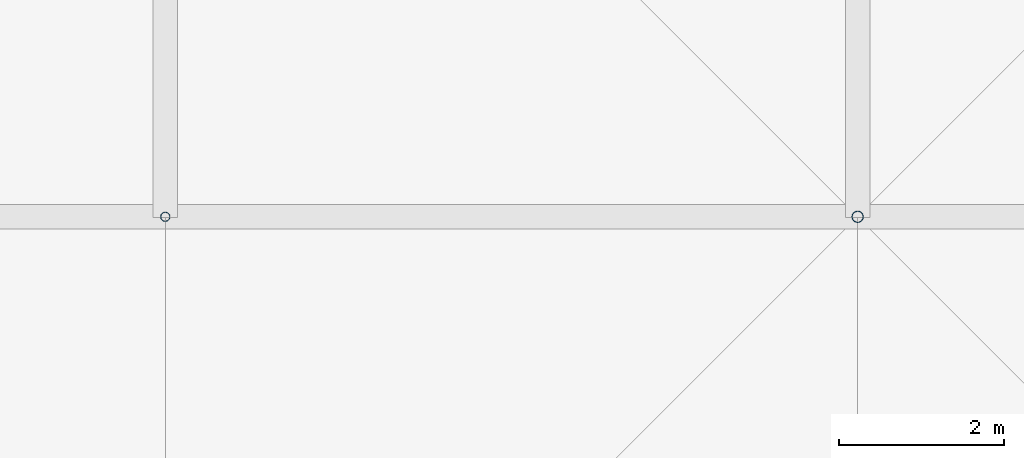
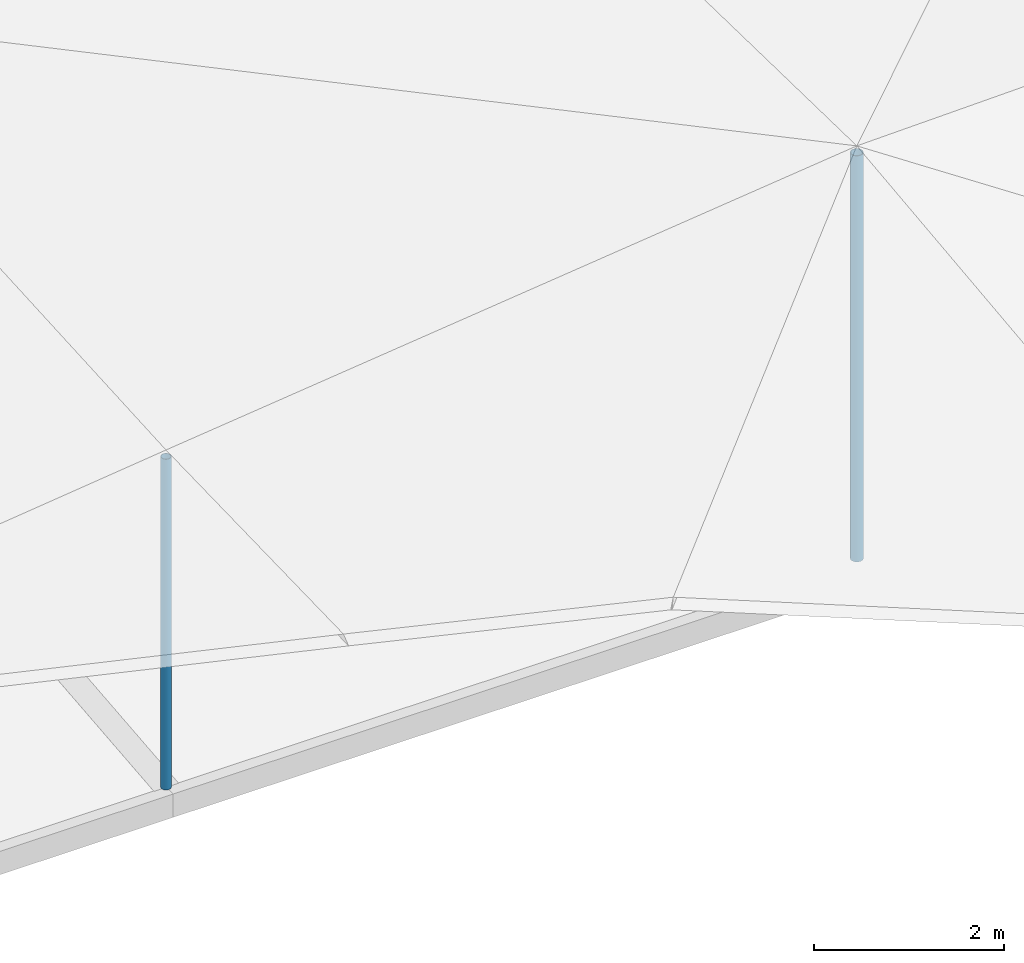
# One storey, part 17 of 46: 2 discrete accessories.
"""IFC4 building model written with IfcOpenShell, lengths in metres."""

from ifc_helpers import new_model, si_unit, direction, frame, origin, origin_2d, place, context, subcontext, project, spatial, hollow_circle, extrude, material, material_profile, profile_set, type_object, element, save


model = new_model("IFC4")

# Units and contexts
model_context = context("Model", 3, precision=1e-05, world=origin(), true_north=direction((0.0, 1.0)))
body_context = subcontext(model_context, "Body", "Model", "MODEL_VIEW")
ifc_project = project(units=[si_unit("LENGTHUNIT", "METRE"), si_unit("AREAUNIT", "SQUARE_METRE"), si_unit("VOLUMEUNIT", "CUBIC_METRE"), si_unit("PLANEANGLEUNIT", "RADIAN"), si_unit("MASSUNIT", "GRAM", prefix="KILO")], contexts=[model_context])

# Site, building, storey
site_placement = place(None, origin())
site = spatial("IfcSite", under=ifc_project, at=site_placement, CompositionType="ELEMENT")
building_placement = place(site_placement, origin())
building = spatial("IfcBuilding", under=site, at=building_placement, Name="Rain Tree Exposition and Congress Centre", CompositionType="ELEMENT")
storey_placement = place(building_placement, frame((0.0, 0.0, 27.0)))
storey = spatial("IfcBuildingStorey", under=building, at=storey_placement, Name="ROOF VAULT CREST", CompositionType="ELEMENT", Elevation=27.0)

# Discrete accessories
ifc_material_1 = material(Name="Steel S355J2H", Category="steel")
ifc_material_profile_1 = material_profile(ifc_material_1, hollow_circle(Radius=0.05712890625, WallThickness=0.00439453125, at=origin_2d()), Name="CHS 114x4.5")
ifc_profile_set_1 = profile_set([ifc_material_profile_1], Name="Steel S355J2H")
discrete_accessory_type_1 = type_object("IfcDiscreteAccessoryType", Name="Roof skin post CHS 114x4.5", PredefinedType="BRACKET", material=ifc_profile_set_1)
discrete_accessory_1_placement = place(storey_placement, frame((201.60009765625, 117.60009765625, 0.551025390625), z_axis=(0.0, 0.0, 1.0), x_axis=(1.0, 0.0, 0.0)))
element("IfcDiscreteAccessory", 1, at=discrete_accessory_1_placement, inside=storey, type_object=discrete_accessory_type_1, Name="Roof skin post B34", PredefinedType="BRACKET", context=body_context, shape_type="SweptSolid", body=[
    extrude(hollow_circle(Radius=0.05712890625, WallThickness=0.00439453125, at=origin_2d()), origin(), (0.0, 0.0, 1.0), 4.252197265625),
])
ifc_material_2 = material(Name="Steel S355J2H", Category="steel")
ifc_material_profile_2 = material_profile(ifc_material_2, hollow_circle(Radius=0.06982421875, WallThickness=0.0048828125, at=origin_2d()), Name="CHS 140x5")
ifc_profile_set_2 = profile_set([ifc_material_profile_2], Name="Steel S355J2H")
discrete_accessory_type_2 = type_object("IfcDiscreteAccessoryType", Name="Roof skin post CHS 140x5", PredefinedType="BRACKET", material=ifc_profile_set_2)
discrete_accessory_2_placement = place(storey_placement, frame((210.0, 117.60009765625, 0.551025390625), z_axis=(0.0, 0.0, 1.0), x_axis=(1.0, 0.0, 0.0)))
element("IfcDiscreteAccessory", 2, at=discrete_accessory_2_placement, inside=storey, type_object=discrete_accessory_type_2, Name="Roof skin post B35", PredefinedType="BRACKET", context=body_context, shape_type="SweptSolid", body=[
    extrude(hollow_circle(Radius=0.06982421875, WallThickness=0.0048828125, at=origin_2d()), origin(), (0.0, 0.0, 1.0), 5.220458984375),
])

save(model, "model.ifc")
